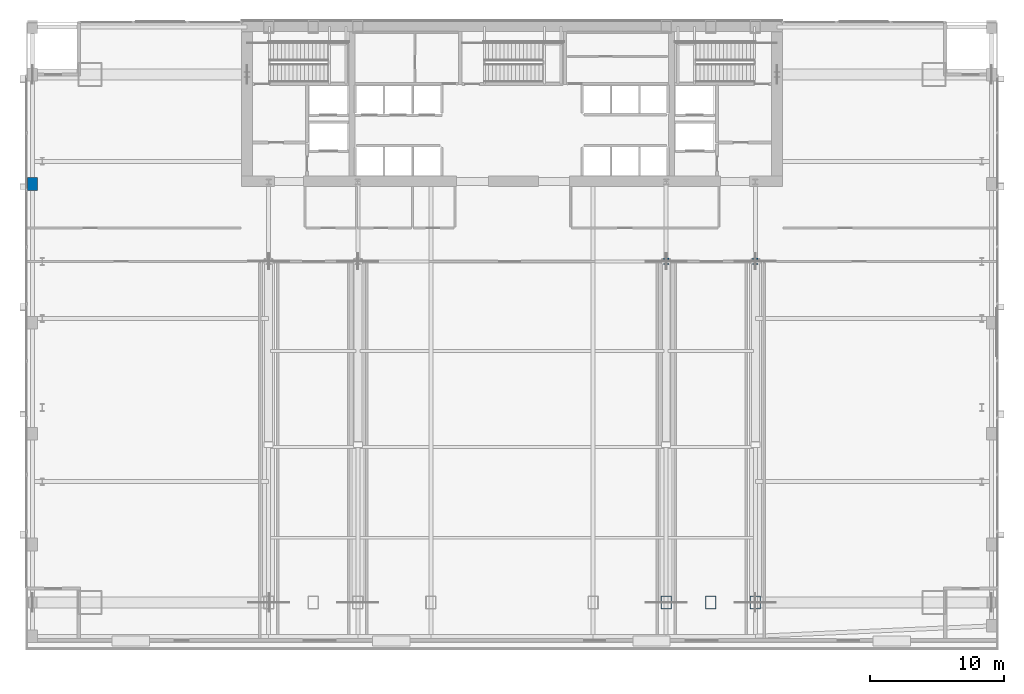
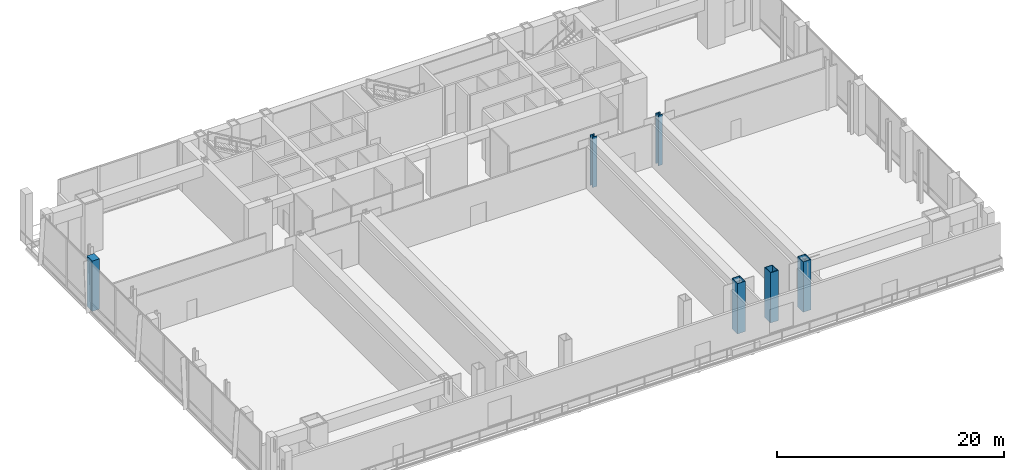
# One storey, part 2 of 26: 6 columns.
"""IFC4 building model written with IfcOpenShell, lengths in metres."""

from ifc_helpers import new_model, si_unit, direction, frame, origin, origin_2d, place, context, subcontext, project, spatial, rectangle, hollow_rectangle, i_section, extrude, material, material_profile, profile_set, type_object, element, save


model = new_model("IFC4")

# Units and contexts
model_context = context("Model", 3, precision=1e-05, world=origin(), true_north=direction((0.0, 1.0)))
body_context = subcontext(model_context, "Body", "Model", "MODEL_VIEW")
ifc_project = project(units=[si_unit("LENGTHUNIT", "METRE"), si_unit("AREAUNIT", "SQUARE_METRE"), si_unit("VOLUMEUNIT", "CUBIC_METRE"), si_unit("PLANEANGLEUNIT", "RADIAN"), si_unit("MASSUNIT", "GRAM", prefix="KILO")], contexts=[model_context])

# Site, building, storey
site_placement = place(None, origin())
site = spatial("IfcSite", under=ifc_project, at=site_placement, CompositionType="ELEMENT")
building_placement = place(site_placement, origin())
building = spatial("IfcBuilding", under=site, at=building_placement, Name="Khoronbel Lancet Exchange", CompositionType="ELEMENT")
storey_placement = place(building_placement, frame((0.0, 0.0, 20.39990234375)))
storey = spatial("IfcBuildingStorey", under=building, at=storey_placement, Name="L04", CompositionType="ELEMENT", Elevation=20.39990234375)

# Columns
ifc_material_1 = material(Name="Steel S460", Category="steel")
ifc_material_profile_1 = material_profile(ifc_material_1, hollow_rectangle(XDim=0.800048828125, YDim=1.0, WallThickness=0.054931640625, at=origin_2d()), Name="BOX 1000x800x55")
ifc_profile_set_1 = profile_set([ifc_material_profile_1], Name="Steel S460")
column_type_1 = type_object("IfcColumnType", Name="COL-EC1", PredefinedType="COLUMN", material=ifc_profile_set_1)
for number, where, z_axis, x_axis, name in (
    (1, (48.0, 10.14990234375, 0.0), (0.0, 0.0, 1.0), (1.0, 0.0, 0.0), "Structural column SC-E1 L04"),
    (2, (51.33740234375, 10.14990234375, 0.0), (0.0, 0.0, 1.0), (1.0, 0.0, 0.0), "Structural column SC-EM L04"),
    (3, (54.675048828125, 10.14990234375, 0.0), (0.0, 0.0, 1.0), (1.0, 0.0, 0.0), "Structural column SC-E2 L04"),
):
    element("IfcColumn", number, at=place(storey_placement, frame(where, z_axis=z_axis, x_axis=x_axis)), inside=storey, type_object=column_type_1, Name=name, PredefinedType="COLUMN", context=body_context, shape_type="SweptSolid", body=[
        extrude(hollow_rectangle(XDim=0.800048828125, YDim=1.0, WallThickness=0.054931640625, at=origin_2d()), origin(), (0.0, 0.0, 1.0), 5.400146484375),
    ])
ifc_material_profile_2 = material_profile(ifc_material_1, i_section(OverallWidth=0.424072265625, OverallDepth=0.47412109375, WebThickness=0.047607421875, FlangeThickness=0.076904296875, at=origin_2d()), Name="HD 400x634")
ifc_profile_set_2 = profile_set([ifc_material_profile_2], Name="Steel S460")
column_type_2 = type_object("IfcColumnType", Name="COL-IC1", PredefinedType="COLUMN", material=ifc_profile_set_2)
for number, where, z_axis, x_axis, name in (
    (4, (48.0, 35.699951171875, 0.0), (0.0, 0.0, 1.0), (1.0, 0.0, 0.0), "Spine gravity column TC3 L04"),
    (5, (54.675048828125, 35.699951171875, 0.0), (0.0, 0.0, 1.0), (1.0, 0.0, 0.0), "Spine gravity column TC4 L04"),
):
    element("IfcColumn", number, at=place(storey_placement, frame(where, z_axis=z_axis, x_axis=x_axis)), inside=storey, type_object=column_type_2, Name=name, PredefinedType="COLUMN", context=body_context, shape_type="SweptSolid", body=[
        extrude(i_section(OverallWidth=0.424072265625, OverallDepth=0.47412109375, WebThickness=0.047607421875, FlangeThickness=0.076904296875, at=origin_2d()), origin(), (0.0, 0.0, 1.0), 5.400146484375),
    ])
ifc_material_2 = material(Name="Concrete C60/75", Category="concrete")
ifc_material_profile_3 = material_profile(ifc_material_2, rectangle(XDim=0.75, YDim=0.949951171875, at=origin_2d()), Name="RC 750x950")
ifc_profile_set_3 = profile_set([ifc_material_profile_3], Name="Concrete C60/75")
column_type_3 = type_object("IfcColumnType", Name="COL-PIL2", PredefinedType="PILASTER", material=ifc_profile_set_3)
column_placement = place(storey_placement, frame((0.550048828125, 41.5, 0.0), z_axis=(0.0, 0.0, 1.0), x_axis=(1.0, 0.0, 0.0)))
element("IfcColumn", 6, at=column_placement, inside=storey, type_object=column_type_3, Name="Podium Gothic colonnade pilaster W4 L04", PredefinedType="PILASTER", context=body_context, shape_type="SweptSolid", body=[
    extrude(rectangle(XDim=0.75, YDim=0.949951171875, at=origin_2d()), origin(), (0.0, 0.0, 1.0), 5.400146484375),
])

save(model, "model.ifc")
